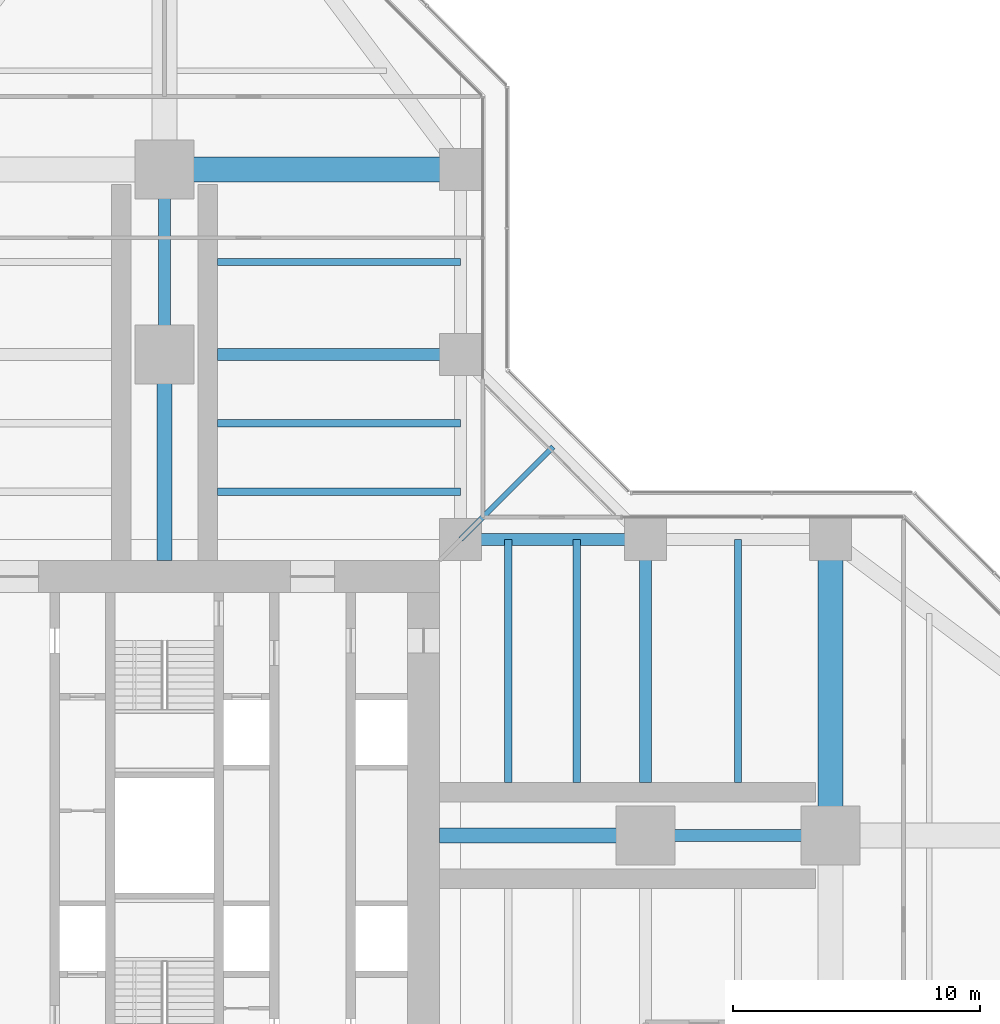
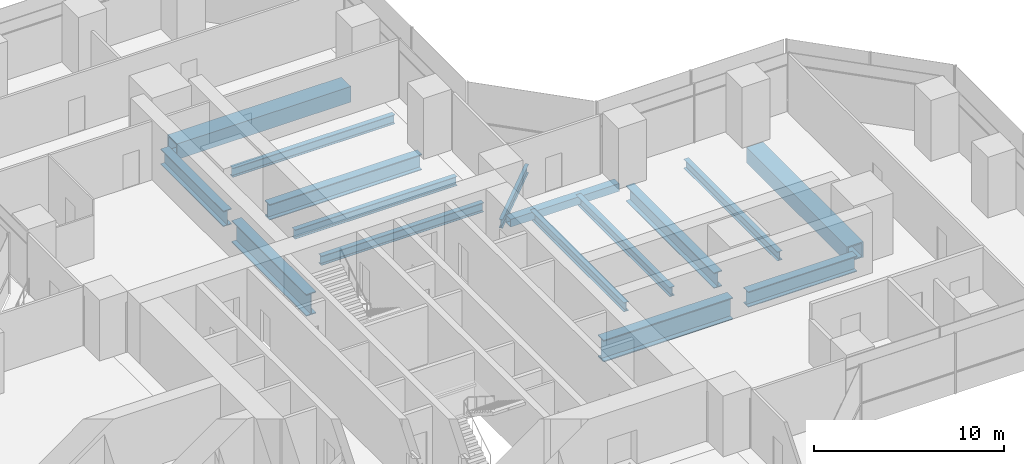
# One storey, part 10 of 22: 16 beams.
"""IFC4 building model written with IfcOpenShell, lengths in metres."""

from ifc_helpers import new_model, si_unit, direction, frame, origin, origin_2d, place, context, subcontext, project, spatial, hollow_rectangle, i_section, extrude, material, material_profile, profile_set, type_object, element, save


model = new_model("IFC4")

# Units and contexts
model_context = context("Model", 3, precision=1e-05, world=origin(), true_north=direction((0.0, 1.0)))
body_context = subcontext(model_context, "Body", "Model", "MODEL_VIEW")
ifc_project = project(units=[si_unit("LENGTHUNIT", "METRE"), si_unit("AREAUNIT", "SQUARE_METRE"), si_unit("VOLUMEUNIT", "CUBIC_METRE"), si_unit("PLANEANGLEUNIT", "RADIAN"), si_unit("MASSUNIT", "GRAM", prefix="KILO")], contexts=[model_context])

# Site, building, storey
site_placement = place(None, origin())
site = spatial("IfcSite", under=ifc_project, at=site_placement, CompositionType="ELEMENT")
building_placement = place(site_placement, origin())
building = spatial("IfcBuilding", under=site, at=building_placement, Name="Mizan Broadcast Tower", CompositionType="ELEMENT")
storey_placement = place(building_placement, frame((0.0, 0.0, 51.300048828125)))
storey = spatial("IfcBuildingStorey", under=building, at=storey_placement, Name="L09", CompositionType="ELEMENT", Elevation=51.300048828125)

# Beams
ifc_material_1 = material(Name="Steel S355", Category="steel")
ifc_material_profile_1 = material_profile(ifc_material_1, hollow_rectangle(XDim=0.5, YDim=0.5, WallThickness=0.030029296875, at=origin_2d()), Name="BOX 500x500x30")
ifc_profile_set_1 = profile_set([ifc_material_profile_1], Name="Steel S355")
beam_type_1 = type_object("IfcBeamType", Name="EDGE BEAM BOX 500x500x30", PredefinedType="SPANDREL", material=ifc_profile_set_1)
beam_1_placement = place(storey_placement, frame((12.449951171875, 12.0, -0.380126953125), z_axis=(1.0, 0.0, 0.0), x_axis=(0.0, 1.0, 0.0)))
element("IfcBeam", 1, at=beam_1_placement, inside=storey, type_object=beam_type_1, Name="Edge beam BOX 500x500x30 L09 east arm", PredefinedType="SPANDREL", context=body_context, shape_type="SweptSolid", body=[
    extrude(hollow_rectangle(XDim=0.5, YDim=0.5, WallThickness=0.030029296875, at=origin_2d()), origin(), (0.0, 0.0, 1.0), 6.60009765625),
])
ifc_material_2 = material(Name="Steel S460", Category="steel")
ifc_material_profile_2 = material_profile(ifc_material_2, hollow_rectangle(XDim=1.0, YDim=1.0, WallThickness=0.080078125, at=origin_2d()), Name="BOX 1000x1000x80")
ifc_profile_set_2 = profile_set([ifc_material_profile_2], Name="Steel S460")
beam_type_2 = type_object("IfcBeamType", Name="GIRDER BOX 1000x1000x80", PredefinedType="BEAM", material=ifc_profile_set_2)
for number, where, z_axis, x_axis, name in (
    (2, (27.0, 11.280029296875, -0.630126953125), (0.0, -1.0, 0.0), (1.0, 0.0, 0.0), "Girder BOX 1000x1000x80 L09 east arm"),
    (3, (11.280029296875, 27.0, -0.630126953125), (-1.0, 0.0, 0.0), (0.0, -1.0, 0.0), "Girder BOX 1000x1000x80 L09 north arm"),
):
    element("IfcBeam", number, at=place(storey_placement, frame(where, z_axis=z_axis, x_axis=x_axis)), inside=storey, type_object=beam_type_2, Name=name, PredefinedType="BEAM", context=body_context, shape_type="SweptSolid", body=[
        extrude(hollow_rectangle(XDim=1.0, YDim=1.0, WallThickness=0.080078125, at=origin_2d()), origin(), (0.0, 0.0, 1.0), 10.56005859375),
    ])
ifc_material_3 = material(Name="Steel S460", Category="steel")
ifc_material_profile_3 = material_profile(ifc_material_3, i_section(OverallWidth=0.5, OverallDepth=1.0, WebThickness=0.02490234375, FlangeThickness=0.050048828125, at=origin_2d()), Name="WPG 1000x500")
ifc_profile_set_3 = profile_set([ifc_material_profile_3], Name="Steel S460")
beam_type_3 = type_object("IfcBeamType", Name="GIRDER WPG 1000x500", PredefinedType="BEAM", material=ifc_profile_set_3)
beam_2_placement = place(storey_placement, frame((19.949951171875, 0.0, -0.630126953125), z_axis=(1.0, 0.0, 0.0), x_axis=(0.0, 1.0, 0.0)))
element("IfcBeam", 4, at=beam_2_placement, inside=storey, type_object=beam_type_3, Name="Girder WPG 1000x500 L09 east arm", PredefinedType="BEAM", context=body_context, shape_type="SweptSolid", body=[
    extrude(i_section(OverallWidth=0.5, OverallDepth=1.0, WebThickness=0.02490234375, FlangeThickness=0.050048828125, at=origin_2d()), origin(), (0.0, 0.0, 1.0), 6.60009765625),
])
beam_3_placement = place(storey_placement, frame((19.5, 11.408935546875, -0.630126953125), z_axis=(0.0, -1.0, 0.0), x_axis=(1.0, 0.0, 0.0)))
element("IfcBeam", 5, at=beam_3_placement, inside=storey, type_object=beam_type_3, Name="Girder WPG 1000x500 L09 east arm", PredefinedType="BEAM", context=body_context, shape_type="SweptSolid", body=[
    extrude(i_section(OverallWidth=0.5, OverallDepth=1.0, WebThickness=0.02490234375, FlangeThickness=0.050048828125, at=origin_2d()), origin(), (0.0, 0.0, 1.0), 9.259033203125),
])
beam_4_placement = place(storey_placement, frame((0.0, 19.949951171875, -0.630126953125), z_axis=(0.0, 1.0, 0.0), x_axis=(-1.0, 0.0, 0.0)))
element("IfcBeam", 6, at=beam_4_placement, inside=storey, type_object=beam_type_3, Name="Girder WPG 1000x500 L09 north arm", PredefinedType="BEAM", context=body_context, shape_type="SweptSolid", body=[
    extrude(i_section(OverallWidth=0.5, OverallDepth=1.0, WebThickness=0.02490234375, FlangeThickness=0.050048828125, at=origin_2d()), origin(), (0.0, 0.0, 1.0), 6.60009765625),
])
beam_5_placement = place(storey_placement, frame((11.408935546875, 19.5, -0.630126953125), z_axis=(-1.0, 0.0, 0.0), x_axis=(0.0, -1.0, 0.0)))
element("IfcBeam", 7, at=beam_5_placement, inside=storey, type_object=beam_type_3, Name="Girder WPG 1000x500 L09 north arm", PredefinedType="BEAM", context=body_context, shape_type="SweptSolid", body=[
    extrude(i_section(OverallWidth=0.5, OverallDepth=1.0, WebThickness=0.02490234375, FlangeThickness=0.050048828125, at=origin_2d()), origin(), (0.0, 0.0, 1.0), 9.259033203125),
])
ifc_material_4 = material(Name="Steel S460", Category="steel")
ifc_material_profile_4 = material_profile(ifc_material_4, i_section(OverallWidth=0.60009765625, OverallDepth=1.39990234375, WebThickness=0.02490234375, FlangeThickness=0.06005859375, at=origin_2d()), Name="WPG 1400x600")
ifc_profile_set_4 = profile_set([ifc_material_profile_4], Name="Steel S460")
beam_type_4 = type_object("IfcBeamType", Name="GIRDER WPG 1400x600", PredefinedType="BEAM", material=ifc_profile_set_4)
for number, where, z_axis, x_axis, name in (
    (8, (11.14990234375, 0.0, -0.830078125), (1.0, 0.0, 0.0), (0.0, 1.0, 0.0), "Girder WPG 1400x600 L09 east arm"),
    (9, (0.0, 11.14990234375, -0.830078125), (0.0, 1.0, 0.0), (-1.0, 0.0, 0.0), "Girder WPG 1400x600 L09 north arm"),
):
    element("IfcBeam", number, at=place(storey_placement, frame(where, z_axis=z_axis, x_axis=x_axis)), inside=storey, type_object=beam_type_4, Name=name, PredefinedType="BEAM", context=body_context, shape_type="SweptSolid", body=[
        extrude(i_section(OverallWidth=0.60009765625, OverallDepth=1.39990234375, WebThickness=0.02490234375, FlangeThickness=0.06005859375, at=origin_2d()), origin(), (0.0, 0.0, 1.0), 7.84912109375),
    ])
ifc_material_5 = material(Name="Steel S355", Category="steel")
ifc_material_profile_5 = material_profile(ifc_material_5, i_section(OverallWidth=0.300048828125, OverallDepth=0.590087890625, WebThickness=0.012939453125, FlangeThickness=0.02490234375, FilletRadius=0.027099609375, at=origin_2d()), Name="HEA 600")
ifc_profile_set_5 = profile_set([ifc_material_profile_5], Name="Steel S355")
beam_type_5 = type_object("IfcBeamType", Name="SECONDARY BEAM HEA 600", PredefinedType="JOIST", material=ifc_profile_set_5)
for number, where, z_axis, x_axis, name in (
    (10, (13.933349609375, 12.0, -0.425048828125), (0.0, -1.0, 0.0), (1.0, 0.0, 0.0), "Secondary beam HEA 600 L09 east arm"),
    (11, (16.716552734375, 12.0, -0.425048828125), (0.0, -1.0, 0.0), (1.0, 0.0, 0.0), "Secondary beam HEA 600 L09 east arm"),
    (12, (23.25, 12.0, -0.425048828125), (0.0, -1.0, 0.0), (1.0, 0.0, 0.0), "Secondary beam HEA 600 L09 east arm"),
    (13, (12.0, 13.933349609375, -0.425048828125), (-1.0, 0.0, 0.0), (0.0, -1.0, 0.0), "Secondary beam HEA 600 L09 north arm"),
    (14, (12.0, 16.716552734375, -0.425048828125), (-1.0, 0.0, 0.0), (0.0, -1.0, 0.0), "Secondary beam HEA 600 L09 north arm"),
    (15, (12.0, 23.25, -0.425048828125), (-1.0, 0.0, 0.0), (0.0, -1.0, 0.0), "Secondary beam HEA 600 L09 north arm"),
):
    element("IfcBeam", number, at=place(storey_placement, frame(where, z_axis=z_axis, x_axis=x_axis)), inside=storey, type_object=beam_type_5, Name=name, PredefinedType="JOIST", context=body_context, shape_type="SweptSolid", body=[
        extrude(i_section(OverallWidth=0.300048828125, OverallDepth=0.590087890625, WebThickness=0.012939453125, FlangeThickness=0.02490234375, FilletRadius=0.027099609375, at=origin_2d()), origin(), (0.0, 0.0, 1.0), 9.85009765625),
    ])
ifc_material_6 = material(Name="Steel S355", Category="steel")
ifc_material_profile_6 = material_profile(ifc_material_6, i_section(OverallWidth=0.2099609375, OverallDepth=0.550048828125, WebThickness=0.010986328125, FlangeThickness=0.01708984375, FilletRadius=0.02392578125, at=origin_2d()), Name="IPE 550")
ifc_profile_set_6 = profile_set([ifc_material_profile_6], Name="Steel S355")
beam_type_6 = type_object("IfcBeamType", Name="SECONDARY BEAM IPE 550", PredefinedType="JOIST", material=ifc_profile_set_6)
beam_6_placement = place(storey_placement, frame((12.0, 12.0, -0.405029296875), z_axis=(0.707106781187, 0.707106781187, 0.0), x_axis=(-0.707106781187, 0.707106781187, 0.0)))
element("IfcBeam", 16, at=beam_6_placement, inside=storey, type_object=beam_type_6, Name="Winter garden beam L09 E", PredefinedType="JOIST", context=body_context, shape_type="SweptSolid", body=[
    extrude(i_section(OverallWidth=0.2099609375, OverallDepth=0.550048828125, WebThickness=0.010986328125, FlangeThickness=0.01708984375, FilletRadius=0.02392578125, at=origin_2d()), origin(), (0.0, 0.0, 1.0), 5.30322265625),
])

save(model, "model.ifc")
